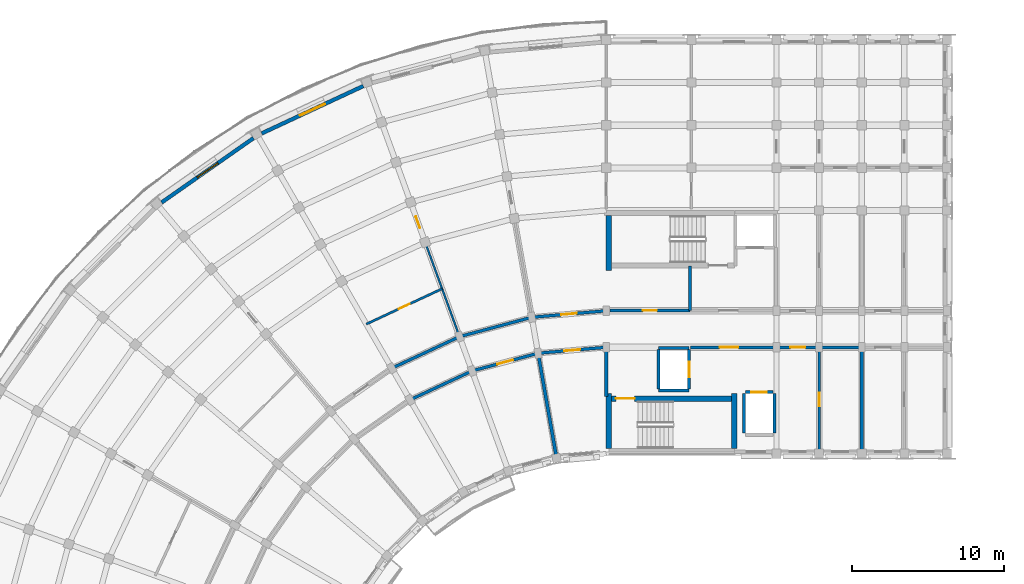
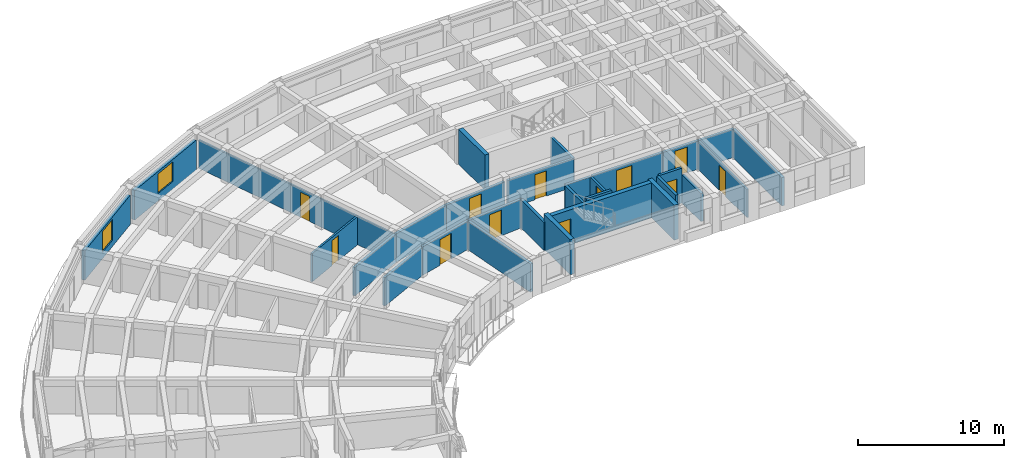
# One storey, part 18 of 41: 30 walls, 12 doors, 2 windows, 14 openings.
"""IFC4 building model written with IfcOpenShell, lengths in metres."""

import ifcopenshell
import ifcopenshell.guid

model = None  # the IFC model being written
_history = None  # IfcOwnerHistory: only IFC2X3 demands one
_inside = {}  # id of a spatial element -> (the spatial element, [elements in it])
_under = {}  # id of a project, library or spatial element -> (it, [spatial elements below it])
_declared = {}  # id of a project -> (the project, [libraries it declares])
_typed = {}  # id of a type object -> (the type object, [elements of that type])
_made_of = {}  # id of a material, layer set ... -> (it, [elements and type objects made of it])


def new_model(schema):
    """Start an empty IFC model of exactly this schema.

    Asked for "IFC4X3", IfcOpenShell would pick the latest addendum, in which some entities
    have other attributes; the version numbers below select the first issue.
    IFC2X3 requires an IfcOwnerHistory on every rooted entity: one is made here for all.
    """
    global model, _history
    if schema == "IFC4X3":
        model = ifcopenshell.file(schema_version=(4, 3, 0, 0))
    else:
        model = ifcopenshell.file(schema=schema)
    _inside.clear()
    _under.clear()
    _declared.clear()
    _typed.clear()
    _made_of.clear()
    _history = None
    if model.schema == "IFC2X3":
        org = make("IfcOrganization", Name="unknown")
        user = make(
            "IfcPersonAndOrganization",
            ThePerson=make("IfcPerson", FamilyName="unknown"),
            TheOrganization=org,
        )
        app = make(
            "IfcApplication",
            ApplicationDeveloper=org,
            Version="unknown",
            ApplicationFullName="unknown",
            ApplicationIdentifier="unknown",
        )
        _history = make(
            "IfcOwnerHistory",
            OwningUser=user,
            OwningApplication=app,
            ChangeAction="ADDED",
            CreationDate=0,
        )
    return model


def make(cls, **values):
    """One entity of the class cls with the attributes given. An attribute that is None is left unset."""
    return model.create_entity(
        cls, **{name: value for name, value in values.items() if value is not None}
    )


def rooted(cls, **values):
    """An entity with a GlobalId (a new one), such as an element, a storey or a relation."""
    return make(cls, GlobalId=ifcopenshell.guid.new(), OwnerHistory=_history, **values)


def si_unit(unit_type, name, prefix=None):
    """IfcSIUnit, for example si_unit("LENGTHUNIT", "METRE", prefix="MILLI")."""
    return make("IfcSIUnit", UnitType=unit_type, Prefix=prefix, Name=name)


def assignment(units):
    """IfcUnitAssignment: the units of a project."""
    return None if units is None else make("IfcUnitAssignment", Units=units)


def point(xyz):
    """IfcCartesianPoint."""
    return None if xyz is None else make("IfcCartesianPoint", Coordinates=xyz)


def direction(xyz):
    """IfcDirection."""
    return None if xyz is None else make("IfcDirection", DirectionRatios=xyz)


def frame(location, z_axis=None, x_axis=None):
    """IfcAxis2Placement3D, a coordinate frame: its origin and axes. An axis left out is left unset."""
    return make(
        "IfcAxis2Placement3D",
        Location=point(location),
        Axis=direction(z_axis),
        RefDirection=direction(x_axis),
    )


def frame_2d(location, x_axis=None):
    """IfcAxis2Placement2D, a coordinate frame in the plane: its origin and x axis."""
    return make(
        "IfcAxis2Placement2D", Location=point(location), RefDirection=direction(x_axis)
    )


def origin():
    """The frame at (0, 0, 0) with its axes left unset."""
    return frame((0.0, 0.0, 0.0))


def place(relative_to, where):
    """IfcLocalPlacement: puts the frame where relative to a parent placement (None: the world)."""
    return make(
        "IfcLocalPlacement", PlacementRelTo=relative_to, RelativePlacement=where
    )


def context(
    kind, dimensions, precision=None, world=None, true_north=None, identifier=None
):
    """IfcGeometricRepresentationContext, for example the 3D "Model" context."""
    return make(
        "IfcGeometricRepresentationContext",
        ContextIdentifier=identifier,
        ContextType=kind,
        CoordinateSpaceDimension=dimensions,
        Precision=precision,
        WorldCoordinateSystem=world,
        TrueNorth=true_north,
    )


def subcontext(parent, identifier, kind, view, scale=None):
    """IfcGeometricRepresentationSubContext, for example "Body" below "Model"."""
    return make(
        "IfcGeometricRepresentationSubContext",
        ContextIdentifier=identifier,
        ContextType=kind,
        ParentContext=parent,
        TargetScale=scale,
        TargetView=view,
    )


def project(units=None, contexts=None):
    """IfcProject with its units and contexts."""
    return rooted(
        "IfcProject",
        Name="project",
        RepresentationContexts=contexts,
        UnitsInContext=assignment(units),
    )


def spatial(cls, under=None, at=None, **own):
    """A site, building, storey or space (cls), placed at a placement, below another one or the project."""
    s = rooted(cls, ObjectPlacement=at, **own)
    if under is not None:
        _under.setdefault(under.id(), (under, []))[1].append(s)
    return s


def profile(cls, at=None, kind="AREA", **sizes):
    """A parametric profile (cls). Its sizes go by their IFC names, for example OverallWidth=200.0."""
    return make(cls, ProfileType=kind, Position=at, **sizes)


def rectangle(**sizes):
    """IfcRectangleProfileDef."""
    return profile("IfcRectangleProfileDef", **sizes)


def extrude(swept, where, along, depth):
    """IfcExtrudedAreaSolid: the profile swept, set in the frame where, extruded along a direction by depth."""
    return make(
        "IfcExtrudedAreaSolid",
        SweptArea=swept,
        Position=where,
        ExtrudedDirection=direction(along),
        Depth=depth,
    )


def shape(context_of_items, identifier, shape_type, items):
    """IfcShapeRepresentation: the items that make up one representation, for example the "Body"."""
    return make(
        "IfcShapeRepresentation",
        ContextOfItems=context_of_items,
        RepresentationIdentifier=identifier,
        RepresentationType=shape_type,
        Items=items,
    )


def material(Name=None, Category=None):
    """IfcMaterial."""
    return make("IfcMaterial", Name=Name, Category=Category)


def layer(
    of_material, thickness, ventilated=None, Name=None, Category=None, Priority=None
):
    """IfcMaterialLayer: one layer of a wall or slab, of a material (None: an air gap)."""
    return make(
        "IfcMaterialLayer",
        Material=of_material,
        LayerThickness=thickness,
        IsVentilated=ventilated,
        Name=Name,
        Category=Category,
        Priority=Priority,
    )


def layer_set(layers, Name=None):
    """IfcMaterialLayerSet."""
    return make("IfcMaterialLayerSet", MaterialLayers=layers, LayerSetName=Name)


def made_of(thing, what):
    """Note that an element or type object is made of a material, layer set ...; save() writes the relation."""
    if what is not None:
        _made_of.setdefault(what.id(), (what, []))[1].append(thing)
    return thing


def type_object(cls, material=None, **own):
    """A type object (cls), such as IfcWallType, which elements share."""
    return made_of(rooted(cls, **own), material)


def element(
    cls,
    number,
    at=None,
    inside=None,
    cuts=None,
    type_object=None,
    material=None,
    context=None,
    identifier="Body",
    shape_type=None,
    held_by="IfcProductDefinitionShape",
    body=None,
    shapes=None,
    **own,
):
    """One element of the class cls, such as IfcWall. Its Tag is "e" and its number.

    at: its placement. inside: the storey or other place that contains it. cuts: it is an
    opening in that element (IfcRelVoidsElement). A single representation is given by context,
    identifier, shape_type and body (its items); several are given by shapes. held_by: the class
    of the entity that holds the representations. save() writes the other relations.
    """
    e = rooted(cls, Tag="e%d" % number, ObjectPlacement=at, **own)
    if body is not None:
        shapes = [shape(context, identifier, shape_type, body)]
    if shapes is not None:
        e.Representation = make(held_by, Representations=shapes)
    if inside is not None:
        _inside.setdefault(inside.id(), (inside, []))[1].append(e)
    if cuts is not None:
        rooted(
            "IfcRelVoidsElement", RelatingBuildingElement=cuts, RelatedOpeningElement=e
        )
    if type_object is not None:
        _typed.setdefault(type_object.id(), (type_object, []))[1].append(e)
    return made_of(e, material)


def fill(opening, filler):
    """IfcRelFillsElement: the door or window that sits in an opening."""
    return rooted(
        "IfcRelFillsElement",
        RelatingOpeningElement=opening,
        RelatedBuildingElement=filler,
    )


def aggregate(whole, parts):
    """IfcRelAggregates: a whole, such as a stair, and the parts it consists of."""
    return rooted("IfcRelAggregates", RelatingObject=whole, RelatedObjects=parts)


def save(model, path):
    """Write the relations noted so far, then the file.

    IfcRelAggregates (storeys below a building ...), IfcRelContainedInSpatialStructure (elements
    in a storey), IfcRelDefinesByType, IfcRelAssociatesMaterial and IfcRelDeclares: one each for
    every whole, place, type object, material and project.
    """
    for whole, parts in _under.values():
        aggregate(whole, parts)
    for where, things in _inside.values():
        rooted(
            "IfcRelContainedInSpatialStructure",
            RelatedElements=things,
            RelatingStructure=where,
        )
    for kind, things in _typed.values():
        rooted("IfcRelDefinesByType", RelatedObjects=things, RelatingType=kind)
    for what, things in _made_of.values():
        rooted("IfcRelAssociatesMaterial", RelatedObjects=things, RelatingMaterial=what)
    for by, libraries in _declared.values():
        rooted("IfcRelDeclares", RelatingContext=by, RelatedDefinitions=libraries)
    model.write(path)


model = new_model("IFC4")

# Units and contexts
model_context = context("Model", 3, precision=1e-05, world=origin(), true_north=direction((0.0, 1.0)))
body_context = subcontext(model_context, "Body", "Model", "MODEL_VIEW")
ifc_project = project(units=[si_unit("LENGTHUNIT", "METRE"), si_unit("AREAUNIT", "SQUARE_METRE"), si_unit("VOLUMEUNIT", "CUBIC_METRE"), si_unit("PLANEANGLEUNIT", "RADIAN"), si_unit("MASSUNIT", "GRAM", prefix="KILO")], contexts=[model_context])

# Site, building, storey
site_placement = place(None, origin())
site = spatial("IfcSite", under=ifc_project, at=site_placement, CompositionType="ELEMENT")
building_placement = place(site_placement, origin())
building = spatial("IfcBuilding", under=site, at=building_placement, Name="Kiranvali Square Residences", CompositionType="ELEMENT")
storey_placement = place(building_placement, frame((0.0, 0.0, 33.89990234375)))
storey = spatial("IfcBuildingStorey", under=building, at=storey_placement, Name="L10", CompositionType="ELEMENT", Elevation=33.89990234375)

# Wall, opening, door
ifc_material_1 = material(Name="Autoclaved aerated concrete blockwork masonry", Category="masonry")
ifc_layer_1 = layer(ifc_material_1, 0.199951171875)
ifc_layer_set_1 = layer_set([ifc_layer_1], Name="Autoclaved aerated concrete blockwork masonry")
wall_type_1 = type_object("IfcWallType", Name="WL-COR-200", PredefinedType="STANDARD", material=ifc_layer_set_1)
wall_1_placement = place(storey_placement, frame((53.75, 113.60009765625, 0.0), z_axis=(0.0, 0.0, 1.0), x_axis=(1.0, 0.0, 0.0)))
wall_1 = element("IfcWall", 1, at=wall_1_placement, inside=storey, type_object=wall_type_1, Name="L10 architectural wall WL-L10-A-LL-COR", PredefinedType="STANDARD", context=body_context, shape_type="SweptSolid", body=[
    extrude(rectangle(XDim=5.60009765625, YDim=0.199951171875, at=frame_2d((2.800048828125, 0.0))), origin(), (0.0, 0.0, 1.0), 2.3720703125),
])
opening_1_placement = place(wall_1_placement, frame((1.909912109375, 0.0, 0.0)))
opening_1 = element("IfcOpeningElement", 2, at=opening_1_placement, cuts=wall_1, Name="Opening FD-COR-60", PredefinedType="OPENING", context=body_context, shape_type="SweptSolid", body=[
    extrude(rectangle(XDim=1.219970703125, YDim=2.14990234375, at=frame_2d((0.60986328125, 1.074951171875))), frame((0.0, 0.10986328125, 0.0), z_axis=(0.0, -1.0, 0.0), x_axis=(1.0, 0.0, 0.0)), (0.0, 0.0, 1.0), 0.219970703125),
])
ifc_material_2 = material(Name="Fire-rated acoustic hardwood and mineral-core door assembly", Category="wood")
door_type_1 = type_object("IfcDoorType", Name="DR-FD60-1200", OperationType="NOTDEFINED", PredefinedType="DOOR", material=ifc_material_2)
door_1_placement = place(opening_1_placement, frame((1.219970703125, 0.0, 0.0), z_axis=(0.0, 0.0, 1.0), x_axis=(-1.0, 0.0, 0.0)))
door_1 = element("IfcDoor", 3, at=door_1_placement, inside=storey, type_object=door_type_1, Name="L10 door DR-L10-0634 (DR-FD60-1200)", OperationType="SINGLE_SWING_RIGHT", OverallHeight=2.14990234375, OverallWidth=1.219970703125, PredefinedType="DOOR", context=body_context, shape_type="SweptSolid", body=[
    extrude(rectangle(XDim=1.219970703125, YDim=2.14990234375, at=frame_2d((0.60986328125, 1.074951171875))), frame((0.0, 0.02490234375, 0.0), z_axis=(0.0, -1.0, 0.0), x_axis=(1.0, 0.0, 0.0)), (0.0, 0.0, 1.0), 0.050048828125),
])
fill(opening_1, door_1)

wall_2_placement = place(storey_placement, frame((59.39990234375, 113.60009765625, 0.0), z_axis=(0.0, 0.0, 1.0), x_axis=(1.0, 0.0, 0.0)))
wall_2 = element("IfcWall", 4, at=wall_2_placement, inside=storey, type_object=wall_type_1, Name="L10 architectural wall WL-L10-A-A1CI-0", PredefinedType="STANDARD", context=body_context, shape_type="SweptSolid", body=[
    extrude(rectangle(XDim=2.800048828125, YDim=0.199951171875, at=frame_2d((1.39990234375, 0.0))), origin(), (0.0, 0.0, 1.0), 2.3720703125),
])
opening_2_placement = place(wall_2_placement, frame((0.89990234375, 0.0, 0.0)))
opening_2 = element("IfcOpeningElement", 5, at=opening_2_placement, cuts=wall_2, Name="Opening FD-APT-60", PredefinedType="OPENING", context=body_context, shape_type="SweptSolid", body=[
    extrude(rectangle(XDim=1.0, YDim=2.14990234375, at=frame_2d((0.5, 1.074951171875))), frame((0.0, 0.10986328125, 0.0), z_axis=(0.0, -1.0, 0.0), x_axis=(1.0, 0.0, 0.0)), (0.0, 0.0, 1.0), 0.219970703125),
])
door_type_2 = type_object("IfcDoorType", Name="DR-APT-1000", OperationType="NOTDEFINED", PredefinedType="DOOR", material=ifc_material_2)
door_2_placement = place(opening_2_placement, frame((1.0, 0.0, 0.0), z_axis=(0.0, 0.0, 1.0), x_axis=(-1.0, 0.0, 0.0)))
door_2 = element("IfcDoor", 6, at=door_2_placement, inside=storey, type_object=door_type_2, Name="L10 door DR-L10-0638 (DR-APT-1000)", OperationType="SINGLE_SWING_RIGHT", OverallHeight=2.14990234375, OverallWidth=1.0, PredefinedType="DOOR", context=body_context, shape_type="SweptSolid", body=[
    extrude(rectangle(XDim=1.0, YDim=2.14990234375, at=frame_2d((0.5, 1.074951171875))), frame((0.0, 0.02490234375, 0.0), z_axis=(0.0, -1.0, 0.0), x_axis=(1.0, 0.0, 0.0)), (0.0, 0.0, 1.0), 0.050048828125),
])
fill(opening_2, door_2)

# Wall
wall_3_placement = place(storey_placement, frame((62.199951171875, 113.60009765625, 0.0), z_axis=(0.0, 0.0, 1.0), x_axis=(1.0, 0.0, 0.0)))
element("IfcWall", 7, at=wall_3_placement, inside=storey, type_object=wall_type_1, Name="L10 architectural wall WL-L10-A-A1CI-1", PredefinedType="STANDARD", context=body_context, shape_type="SweptSolid", body=[
    extrude(rectangle(XDim=2.800048828125, YDim=0.199951171875, at=frame_2d((1.39990234375, 0.0))), origin(), (0.0, 0.0, 1.0), 2.3720703125),
])

# Wall, opening, door
wall_4_placement = place(storey_placement, frame((48.199951171875, 113.60009765625, 0.0), z_axis=(0.0, 0.0, 1.0), x_axis=(-0.996191949488, -0.087187153726, 0.0)))
wall_4 = element("IfcWall", 8, at=wall_4_placement, inside=storey, type_object=wall_type_1, Name="L10 architectural wall WL-L10-A-CCI-0", PredefinedType="STANDARD", context=body_context, shape_type="SweptSolid", body=[
    extrude(rectangle(XDim=4.4970703125, YDim=0.199951171875, at=frame_2d((2.24853515625, 0.0))), origin(), (0.0, 0.0, 1.0), 2.3720703125),
])
opening_3_placement = place(wall_4_placement, frame((1.728515625, 0.0, 0.0)))
opening_3 = element("IfcOpeningElement", 9, at=opening_3_placement, cuts=wall_4, Name="Opening FD-APT-60B", PredefinedType="OPENING", context=body_context, shape_type="SweptSolid", body=[
    extrude(rectangle(XDim=1.0400390625, YDim=2.14990234375, at=frame_2d((0.52001953125, 1.074951171875))), frame((0.0, 0.10986328125, 0.0), z_axis=(0.0, -1.0, 0.0), x_axis=(1.0, 0.0, 0.0)), (0.0, 0.0, 1.0), 0.219970703125),
])
door_type_3 = type_object("IfcDoorType", Name="DR-APT-1040", OperationType="NOTDEFINED", PredefinedType="DOOR", material=ifc_material_2)
door_3_placement = place(opening_3_placement, origin())
door_3 = element("IfcDoor", 10, at=door_3_placement, inside=storey, type_object=door_type_3, Name="L10 door DR-L10-0667 (DR-APT-1040)", OperationType="SINGLE_SWING_LEFT", OverallHeight=2.14990234375, OverallWidth=1.0400390625, PredefinedType="DOOR", context=body_context, shape_type="SweptSolid", body=[
    extrude(rectangle(XDim=1.0400390625, YDim=2.14990234375, at=frame_2d((0.52001953125, 1.074951171875))), frame((0.0, 0.02490234375, 0.0), z_axis=(0.0, -1.0, 0.0), x_axis=(1.0, 0.0, 0.0)), (0.0, 0.0, 1.0), 0.050048828125),
])
fill(opening_3, door_3)

wall_5_placement = place(storey_placement, frame((48.199951171875, 116.0, 0.0), z_axis=(0.0, 0.0, 1.0), x_axis=(-0.996193663584, -0.087167566415, 0.0)))
wall_5 = element("IfcWall", 11, at=wall_5_placement, inside=storey, type_object=wall_type_1, Name="L10 architectural wall WL-L10-A-CCO-0", PredefinedType="STANDARD", context=body_context, shape_type="SweptSolid", body=[
    extrude(rectangle(XDim=4.91552734375, YDim=0.199951171875, at=frame_2d((2.457763671875, 0.0))), origin(), (0.0, 0.0, 1.0), 2.3720703125),
])
opening_4_placement = place(wall_5_placement, frame((1.957763671875, 0.0, 0.0)))
opening_4 = element("IfcOpeningElement", 12, at=opening_4_placement, cuts=wall_5, Name="Opening FD-APT-60", PredefinedType="OPENING", context=body_context, shape_type="SweptSolid", body=[
    extrude(rectangle(XDim=1.0, YDim=2.14990234375, at=frame_2d((0.5, 1.074951171875))), frame((0.0, 0.10986328125, 0.0), z_axis=(0.0, -1.0, 0.0), x_axis=(1.0, 0.0, 0.0)), (0.0, 0.0, 1.0), 0.219970703125),
])
door_4_placement = place(opening_4_placement, origin())
door_4 = element("IfcDoor", 13, at=door_4_placement, inside=storey, type_object=door_type_2, Name="L10 door DR-L10-0659 (DR-APT-1000)", OperationType="SINGLE_SWING_LEFT", OverallHeight=2.14990234375, OverallWidth=1.0, PredefinedType="DOOR", context=body_context, shape_type="SweptSolid", body=[
    extrude(rectangle(XDim=1.0, YDim=2.14990234375, at=frame_2d((0.5, 1.074951171875))), frame((0.0, 0.02490234375, 0.0), z_axis=(0.0, -1.0, 0.0), x_axis=(1.0, 0.0, 0.0)), (0.0, 0.0, 1.0), 0.050048828125),
])
fill(opening_4, door_4)

wall_6_placement = place(storey_placement, frame((43.719970703125, 113.2080078125, 0.0), z_axis=(0.0, 0.0, 1.0), x_axis=(-0.965934240054, -0.258787642463, 0.0)))
wall_6 = element("IfcWall", 14, at=wall_6_placement, inside=storey, type_object=wall_type_1, Name="L10 architectural wall WL-L10-A-CCI-1", PredefinedType="STANDARD", context=body_context, shape_type="SweptSolid", body=[
    extrude(rectangle(XDim=4.497314453125, YDim=0.199951171875, at=frame_2d((2.24853515625, 0.0))), origin(), (0.0, 0.0, 1.0), 2.3720703125),
])
opening_5_placement = place(wall_6_placement, frame((1.708740234375, 0.0, 0.0)))
opening_5 = element("IfcOpeningElement", 15, at=opening_5_placement, cuts=wall_6, Name="Opening FD-APT-60C", PredefinedType="OPENING", context=body_context, shape_type="SweptSolid", body=[
    extrude(rectangle(XDim=1.080078125, YDim=2.14990234375, at=frame_2d((0.5400390625, 1.074951171875))), frame((0.0, 0.10986328125, 0.0), z_axis=(0.0, -1.0, 0.0), x_axis=(1.0, 0.0, 0.0)), (0.0, 0.0, 1.0), 0.219970703125),
])
door_type_4 = type_object("IfcDoorType", Name="DR-APT-1080", OperationType="NOTDEFINED", PredefinedType="DOOR", material=ifc_material_2)
door_5_placement = place(opening_5_placement, frame((1.080078125, 0.0, 0.0), z_axis=(0.0, 0.0, 1.0), x_axis=(-1.0, 0.0, 0.0)))
door_5 = element("IfcDoor", 16, at=door_5_placement, inside=storey, type_object=door_type_4, Name="L10 door DR-L10-0668 (DR-APT-1080)", OperationType="SINGLE_SWING_RIGHT", OverallHeight=2.14990234375, OverallWidth=1.080078125, PredefinedType="DOOR", context=body_context, shape_type="SweptSolid", body=[
    extrude(rectangle(XDim=1.080078125, YDim=2.14990234375, at=frame_2d((0.5400390625, 1.074951171875))), frame((0.0, 0.02490234375, 0.0), z_axis=(0.0, -1.0, 0.0), x_axis=(1.0, 0.0, 0.0)), (0.0, 0.0, 1.0), 0.050048828125),
])
fill(opening_5, door_5)

# Walls
wall_7_placement = place(storey_placement, frame((43.30322265625, 115.571533203125, 0.0), z_axis=(0.0, 0.0, 1.0), x_axis=(-0.965930095386, -0.258803112091, 0.0)))
element("IfcWall", 17, at=wall_7_placement, inside=storey, type_object=wall_type_1, Name="L10 architectural wall WL-L10-A-CCO-1", PredefinedType="STANDARD", context=body_context, shape_type="SweptSolid", body=[
    extrude(rectangle(XDim=4.915771484375, YDim=0.199951171875, at=frame_2d((2.4580078125, 0.0))), origin(), (0.0, 0.0, 1.0), 2.3720703125),
])
wall_8_placement = place(storey_placement, frame((39.3759765625, 112.044189453125, 0.0), z_axis=(0.0, 0.0, 1.0), x_axis=(-0.906307919131, -0.422617978463, 0.0)))
element("IfcWall", 18, at=wall_8_placement, inside=storey, type_object=wall_type_1, Name="L10 architectural wall WL-L10-A-CCI-2", PredefinedType="STANDARD", context=body_context, shape_type="SweptSolid", body=[
    extrude(rectangle(XDim=4.497314453125, YDim=0.199951171875, at=frame_2d((2.24853515625, 0.0))), origin(), (0.0, 0.0, 1.0), 2.3720703125),
])
wall_9_placement = place(storey_placement, frame((38.554931640625, 114.29931640625, 0.0), z_axis=(0.0, 0.0, 1.0), x_axis=(-0.906302381024, -0.422629854778, 0.0)))
element("IfcWall", 19, at=wall_9_placement, inside=storey, type_object=wall_type_1, Name="L10 architectural wall WL-L10-A-CCO-2", PredefinedType="STANDARD", context=body_context, shape_type="SweptSolid", body=[
    extrude(rectangle(XDim=4.915283203125, YDim=0.199951171875, at=frame_2d((2.45751953125, 0.0))), origin(), (0.0, 0.0, 1.0), 2.3720703125),
])
ifc_layer_2 = layer(ifc_material_1, 0.219970703125)
ifc_layer_set_2 = layer_set([ifc_layer_2], Name="Autoclaved aerated concrete blockwork masonry")
wall_type_2 = type_object("IfcWallType", Name="WL-DEM-220", PredefinedType="STANDARD", material=ifc_layer_set_2)
wall_10_placement = place(storey_placement, frame((65.0, 106.800048828125, 0.0), z_axis=(0.0, 0.0, 1.0), x_axis=(0.0, 1.0, 0.0)))
element("IfcWall", 20, at=wall_10_placement, inside=storey, type_object=wall_type_2, Name="L10 architectural wall WL-L10-A-A1TI-2", PredefinedType="STANDARD", context=body_context, shape_type="SweptSolid", body=[
    extrude(rectangle(XDim=6.75, YDim=0.219970703125, at=frame_2d((3.375, 0.0))), origin(), (0.0, 0.0, 1.0), 2.3720703125),
])
wall_11_placement = place(storey_placement, frame((48.199951171875, 110.35009765625, 0.0), z_axis=(0.0, 0.0, 1.0), x_axis=(0.0, 1.0, 0.0)))
element("IfcWall", 21, at=wall_11_placement, inside=storey, type_object=wall_type_2, Name="L10 architectural wall WL-L10-A-RADI-0", PredefinedType="STANDARD", context=body_context, shape_type="SweptSolid", body=[
    extrude(rectangle(XDim=3.199951171875, YDim=0.219970703125, at=frame_2d((1.60009765625, 0.0))), origin(), (0.0, 0.0, 1.0), 2.3720703125),
])
wall_12_placement = place(storey_placement, frame((44.900634765625, 106.51123046875, 0.0), z_axis=(0.0, 0.0, 1.0), x_axis=(-0.173647089161, 0.984807944945, 0.0)))
element("IfcWall", 22, at=wall_12_placement, inside=storey, type_object=wall_type_2, Name="L10 architectural wall WL-L10-A-RADI-1", PredefinedType="STANDARD", context=body_context, shape_type="SweptSolid", body=[
    extrude(rectangle(XDim=6.75, YDim=0.219970703125, at=frame_2d((3.375, 0.0))), origin(), (0.0, 0.0, 1.0), 2.3720703125),
])

# Wall, opening, window
ifc_material_3 = material(Name="Breathable lime-rendered clay brick masonry", Category="masonry")
ifc_layer_3 = layer(ifc_material_3, 0.25)
ifc_layer_set_3 = layer_set([ifc_layer_3], Name="Breathable lime-rendered clay brick masonry")
wall_type_3 = type_object("IfcWallType", Name="WL-EXT-250", PredefinedType="STANDARD", material=ifc_layer_set_3)
wall_13_placement = place(storey_placement, frame((32.224853515625, 130.77490234375, 0.0), z_axis=(0.0, 0.0, 1.0), x_axis=(-0.906321090675, -0.422589730823, 0.0)))
wall_13 = element("IfcWall", 23, at=wall_13_placement, inside=storey, type_object=wall_type_3, Name="L10 exterior wall A-L10-CRV-02", PredefinedType="STANDARD", context=body_context, shape_type="SweptSolid", body=[
    extrude(rectangle(XDim=7.3671875, YDim=0.25, at=frame_2d((3.68359375, 0.0))), origin(), (0.0, 0.0, 1.0), 2.47216796875),
])
opening_6_placement = place(wall_13_placement, frame((2.783447265625, 0.0, 0.6220703125)))
opening_6 = element("IfcOpeningElement", 24, at=opening_6_placement, cuts=wall_13, Name="Opening W-04", PredefinedType="OPENING", context=body_context, shape_type="SweptSolid", body=[
    extrude(rectangle(XDim=1.800048828125, YDim=1.64990234375, at=frame_2d((0.89990234375, 0.824951171875))), frame((0.0, 0.135009765625, 0.0), z_axis=(0.0, -1.0, 0.0), x_axis=(1.0, 0.0, 0.0)), (0.0, 0.0, 1.0), 0.27001953125),
])
ifc_material_4 = material(Name="Solar-control low-e double glazing", Category="glass")
window_type_1 = type_object("IfcWindowType", Name="WIN-RES-1800x1650", PartitioningType="DOUBLE_PANEL_VERTICAL", PredefinedType="WINDOW", material=ifc_material_4)
window_1_placement = place(opening_6_placement, origin())
window_1 = element("IfcWindow", 25, at=window_1_placement, inside=storey, type_object=window_type_1, Name="L10 recessed window A-L10-CRV-02", OverallHeight=1.64990234375, OverallWidth=1.800048828125, PartitioningType="DOUBLE_PANEL_VERTICAL", PredefinedType="WINDOW", context=body_context, shape_type="SweptSolid", body=[
    extrude(rectangle(XDim=1.800048828125, YDim=1.64990234375, at=frame_2d((0.89990234375, 0.824951171875))), frame((0.0, 0.030029296875, 0.0), z_axis=(0.0, -1.0, 0.0), x_axis=(1.0, 0.0, 0.0)), (0.0, 0.0, 1.0), 0.06005859375),
])
fill(opening_6, window_1)

wall_14_placement = place(storey_placement, frame((25.0048828125, 127.347900390625, 0.0), z_axis=(0.0, 0.0, 1.0), x_axis=(-0.819147839112, -0.573582441919, 0.0)))
wall_14 = element("IfcWall", 26, at=wall_14_placement, inside=storey, type_object=wall_type_3, Name="L10 exterior wall A-L10-CRV-03", PredefinedType="STANDARD", context=body_context, shape_type="SweptSolid", body=[
    extrude(rectangle(XDim=7.366943359375, YDim=0.25, at=frame_2d((3.68359375, 0.0))), origin(), (0.0, 0.0, 1.0), 2.47216796875),
])
opening_7_placement = place(wall_14_placement, frame((2.8583984375, 0.0, 0.52197265625)))
opening_7 = element("IfcOpeningElement", 27, at=opening_7_placement, cuts=wall_14, Name="Opening W-13", PredefinedType="OPENING", context=body_context, shape_type="SweptSolid", body=[
    extrude(rectangle(XDim=1.64990234375, YDim=1.75, at=frame_2d((0.824951171875, 0.875))), frame((0.0, 0.135009765625, 0.0), z_axis=(0.0, -1.0, 0.0), x_axis=(1.0, 0.0, 0.0)), (0.0, 0.0, 1.0), 0.27001953125),
])
window_type_2 = type_object("IfcWindowType", Name="WIN-RES-1650x1750", PartitioningType="DOUBLE_PANEL_VERTICAL", PredefinedType="WINDOW", material=ifc_material_4)
window_2_placement = place(opening_7_placement, origin())
window_2 = element("IfcWindow", 28, at=window_2_placement, inside=storey, type_object=window_type_2, Name="L10 recessed window A-L10-CRV-03", OverallHeight=1.75, OverallWidth=1.64990234375, PartitioningType="DOUBLE_PANEL_VERTICAL", PredefinedType="WINDOW", context=body_context, shape_type="SweptSolid", body=[
    extrude(rectangle(XDim=1.64990234375, YDim=1.75, at=frame_2d((0.824951171875, 0.875))), frame((0.0, 0.030029296875, 0.0), z_axis=(0.0, -1.0, 0.0), x_axis=(1.0, 0.0, 0.0)), (0.0, 0.0, 1.0), 0.06005859375),
])
fill(opening_7, window_2)

# Wall
ifc_layer_4 = layer(ifc_material_1, 0.199951171875)
ifc_layer_set_4 = layer_set([ifc_layer_4], Name="Autoclaved aerated concrete blockwork masonry")
wall_type_4 = type_object("IfcWallType", Name="WL-FFL-200", PredefinedType="STANDARD", material=ifc_layer_set_4)
wall_15_placement = place(storey_placement, frame((53.699951171875, 116.02001953125, 0.0), z_axis=(0.0, 0.0, 1.0), x_axis=(0.0, 1.0, 0.0)))
element("IfcWall", 29, at=wall_15_placement, inside=storey, type_object=wall_type_4, Name="L10 architectural wall WL-L10-A-FF-DIV", PredefinedType="STANDARD", context=body_context, shape_type="SweptSolid", body=[
    extrude(rectangle(XDim=2.929931640625, YDim=0.199951171875, at=frame_2d((1.46484375, 0.0))), origin(), (0.0, 0.0, 1.0), 2.3720703125),
])

# Wall, opening, door
ifc_material_5 = material(Name="Acoustic gypsum board drylined partition", Category="gypsum")
ifc_layer_5 = layer(ifc_material_5, 0.125)
ifc_layer_set_5 = layer_set([ifc_layer_5], Name="Acoustic gypsum board drylined partition")
wall_type_5 = type_object("IfcWallType", Name="WL-PRT-125", PredefinedType="PARTITIONING", material=ifc_layer_set_5)
wall_16_placement = place(storey_placement, frame((38.520751953125, 114.393310546875, 0.0), z_axis=(0.0, 0.0, 1.0), x_axis=(-0.342022120477, 0.939691901159, 0.0)))
wall_16 = element("IfcWall", 30, at=wall_16_placement, inside=storey, type_object=wall_type_5, Name="L10 architectural wall WL-L10-A-RADO-2", PredefinedType="PARTITIONING", context=body_context, shape_type="SweptSolid", body=[
    extrude(rectangle(XDim=17.419921875, YDim=0.125, at=frame_2d((8.7099609375, 0.0))), origin(), (0.0, 0.0, 1.0), 2.3720703125),
])
opening_8_placement = place(wall_16_placement, frame((7.5, 0.0, 0.0)))
opening_8 = element("IfcOpeningElement", 31, at=opening_8_placement, cuts=wall_16, Name="Opening ID-WET", PredefinedType="OPENING", context=body_context, shape_type="SweptSolid", body=[
    extrude(rectangle(XDim=0.800048828125, YDim=2.10009765625, at=frame_2d((0.39990234375, 1.050048828125))), frame((0.0, 0.072509765625, 0.0), z_axis=(0.0, -1.0, 0.0), x_axis=(1.0, 0.0, 0.0)), (0.0, 0.0, 1.0), 0.14501953125),
])
ifc_material_6 = material(Name="Solid seasoned teak hardwood joinery", Category="wood")
door_type_5 = type_object("IfcDoorType", Name="DR-WET-800", OperationType="NOTDEFINED", PredefinedType="DOOR", material=ifc_material_6)
door_6_placement = place(opening_8_placement, origin())
door_6 = element("IfcDoor", 32, at=door_6_placement, inside=storey, type_object=door_type_5, Name="L10 door DR-L10-0655 (DR-WET-800)", OperationType="SINGLE_SWING_LEFT", OverallHeight=2.10009765625, OverallWidth=0.800048828125, PredefinedType="DOOR", context=body_context, shape_type="SweptSolid", body=[
    extrude(rectangle(XDim=0.800048828125, YDim=2.10009765625, at=frame_2d((0.39990234375, 1.050048828125))), frame((0.0, 0.02490234375, 0.0), z_axis=(0.0, -1.0, 0.0), x_axis=(1.0, 0.0, 0.0)), (0.0, 0.0, 1.0), 0.050048828125),
])
fill(opening_8, door_6)

ifc_layer_6 = layer(ifc_material_5, 0.14990234375)
ifc_layer_set_6 = layer_set([ifc_layer_6], Name="Acoustic gypsum board drylined partition")
wall_type_6 = type_object("IfcWallType", Name="WL-PRT-150", PredefinedType="PARTITIONING", material=ifc_layer_set_6)
wall_17_placement = place(storey_placement, frame((62.199951171875, 106.800048828125, 0.0), z_axis=(0.0, 0.0, 1.0), x_axis=(0.0, 1.0, 0.0)))
wall_17 = element("IfcWall", 33, at=wall_17_placement, inside=storey, type_object=wall_type_6, Name="L10 architectural wall WL-L10-A-A1TI-1", PredefinedType="PARTITIONING", context=body_context, shape_type="SweptSolid", body=[
    extrude(rectangle(XDim=6.75, YDim=0.14990234375, at=frame_2d((3.375, 0.0))), origin(), (0.0, 0.0, 1.0), 2.3720703125),
])
opening_9_placement = place(wall_17_placement, frame((2.925048828125, 0.0, 0.0)))
opening_9 = element("IfcOpeningElement", 34, at=opening_9_placement, cuts=wall_17, Name="Opening ID-1", PredefinedType="OPENING", context=body_context, shape_type="SweptSolid", body=[
    extrude(rectangle(XDim=0.89990234375, YDim=2.10009765625, at=frame_2d((0.449951171875, 1.050048828125))), frame((0.0, 0.0849609375, 0.0), z_axis=(0.0, -1.0, 0.0), x_axis=(1.0, 0.0, 0.0)), (0.0, 0.0, 1.0), 0.169921875),
])
door_type_6 = type_object("IfcDoorType", Name="DR-INT-900", OperationType="NOTDEFINED", PredefinedType="DOOR", material=ifc_material_6)
door_7_placement = place(opening_9_placement, origin())
door_7 = element("IfcDoor", 35, at=door_7_placement, inside=storey, type_object=door_type_6, Name="L10 door DR-L10-0647 (DR-INT-900)", OperationType="SINGLE_SWING_LEFT", OverallHeight=2.10009765625, OverallWidth=0.89990234375, PredefinedType="DOOR", context=body_context, shape_type="SweptSolid", body=[
    extrude(rectangle(XDim=0.89990234375, YDim=2.10009765625, at=frame_2d((0.449951171875, 1.050048828125))), frame((0.0, 0.02490234375, 0.0), z_axis=(0.0, -1.0, 0.0), x_axis=(1.0, 0.0, 0.0)), (0.0, 0.0, 1.0), 0.050048828125),
])
fill(opening_9, door_7)

ifc_layer_7 = layer(ifc_material_1, 0.199951171875)
ifc_layer_set_7 = layer_set([ifc_layer_7], Name="Autoclaved aerated concrete blockwork masonry")
wall_type_7 = type_object("IfcWallType", Name="WL-SHF-200", PredefinedType="STANDARD", material=ifc_layer_set_7)
wall_18_placement = place(storey_placement, frame((48.449951171875, 116.02001953125, 0.0), z_axis=(0.0, 0.0, 1.0), x_axis=(1.0, 0.0, 0.0)))
wall_18 = element("IfcWall", 36, at=wall_18_placement, inside=storey, type_object=wall_type_7, Name="L10 architectural wall WL-L10-A-RSR-COR", PredefinedType="STANDARD", context=body_context, shape_type="SweptSolid", body=[
    extrude(rectangle(XDim=5.25, YDim=0.199951171875, at=frame_2d((2.625, 0.0))), origin(), (0.0, 0.0, 1.0), 2.3720703125),
])
opening_10_placement = place(wall_18_placement, frame((2.1650390625, 0.0, 0.0)))
opening_10 = element("IfcOpeningElement", 37, at=opening_10_placement, cuts=wall_18, Name="Opening FD-SVC-120", PredefinedType="OPENING", context=body_context, shape_type="SweptSolid", body=[
    extrude(rectangle(XDim=0.919921875, YDim=2.10009765625, at=frame_2d((0.4599609375, 1.050048828125))), frame((0.0, 0.10986328125, 0.0), z_axis=(0.0, -1.0, 0.0), x_axis=(1.0, 0.0, 0.0)), (0.0, 0.0, 1.0), 0.219970703125),
])
door_type_7 = type_object("IfcDoorType", Name="DR-SVC-900", OperationType="NOTDEFINED", PredefinedType="DOOR", material=ifc_material_2)
door_8_placement = place(opening_10_placement, origin())
door_8 = element("IfcDoor", 38, at=door_8_placement, inside=storey, type_object=door_type_7, Name="L10 door DR-L10-0627 (DR-SVC-900)", OperationType="SINGLE_SWING_LEFT", OverallHeight=2.10009765625, OverallWidth=0.919921875, PredefinedType="DOOR", context=body_context, shape_type="SweptSolid", body=[
    extrude(rectangle(XDim=0.919921875, YDim=2.10009765625, at=frame_2d((0.4599609375, 1.050048828125))), frame((0.0, 0.02490234375, 0.0), z_axis=(0.0, -1.0, 0.0), x_axis=(1.0, 0.0, 0.0)), (0.0, 0.0, 1.0), 0.050048828125),
])
fill(opening_10, door_8)

# Walls
wall_19_placement = place(storey_placement, frame((57.25, 107.949951171875, 0.0), z_axis=(0.0, 0.0, 1.0), x_axis=(0.0, 1.0, 0.0)))
element("IfcWall", 39, at=wall_19_placement, inside=storey, type_object=wall_type_7, Name="L10 architectural wall WL-L10-A-LP1-S1", PredefinedType="STANDARD", context=body_context, shape_type="SweptSolid", body=[
    extrude(rectangle(XDim=2.60009765625, YDim=0.199951171875, at=frame_2d((1.300048828125, 0.0))), origin(), (0.0, 0.0, 1.0), 2.93017578125),
])
wall_20_placement = place(storey_placement, frame((59.25, 107.949951171875, 0.0), z_axis=(0.0, 0.0, 1.0), x_axis=(0.0, 1.0, 0.0)))
element("IfcWall", 40, at=wall_20_placement, inside=storey, type_object=wall_type_7, Name="L10 architectural wall WL-L10-A-LP1-B", PredefinedType="STANDARD", context=body_context, shape_type="SweptSolid", body=[
    extrude(rectangle(XDim=2.60009765625, YDim=0.199951171875, at=frame_2d((1.300048828125, 0.0))), origin(), (0.0, 0.0, 1.0), 2.3720703125),
])

# Wall, opening, door
wall_21_placement = place(storey_placement, frame((57.35009765625, 110.64990234375, 0.0), z_axis=(0.0, 0.0, 1.0), x_axis=(1.0, 0.0, 0.0)))
wall_21 = element("IfcWall", 41, at=wall_21_placement, inside=storey, type_object=wall_type_7, Name="L10 architectural wall WL-L10-A-LP1-F", PredefinedType="STANDARD", context=body_context, shape_type="SweptSolid", body=[
    extrude(rectangle(XDim=1.7998046875, YDim=0.199951171875, at=frame_2d((0.89990234375, 0.0))), origin(), (0.0, 0.0, 1.0), 2.93017578125),
])
opening_11_placement = place(wall_21_placement, frame((0.389892578125, 0.0, 0.0)))
opening_11 = element("IfcOpeningElement", 42, at=opening_11_placement, cuts=wall_21, Name="Opening LD-PAX-100", PredefinedType="OPENING", context=body_context, shape_type="SweptSolid", body=[
    extrude(rectangle(XDim=1.02001953125, YDim=2.14990234375, at=frame_2d((0.510009765625, 1.074951171875))), frame((0.0, 0.10986328125, 0.0), z_axis=(0.0, -1.0, 0.0), x_axis=(1.0, 0.0, 0.0)), (0.0, 0.0, 1.0), 0.219970703125),
])
door_type_8 = type_object("IfcDoorType", Name="DR-LIFT-1000", OperationType="SLIDING_TO_RIGHT", PredefinedType="DOOR", material=ifc_material_2)
door_9_placement = place(opening_11_placement, origin())
door_9 = element("IfcDoor", 43, at=door_9_placement, inside=storey, type_object=door_type_8, Name="L10 door DR-L10-0632 (DR-LIFT-1000)", OperationType="SLIDING_TO_RIGHT", OverallHeight=2.14990234375, OverallWidth=1.02001953125, PredefinedType="DOOR", context=body_context, shape_type="SweptSolid", body=[
    extrude(rectangle(XDim=1.02001953125, YDim=2.14990234375, at=frame_2d((0.510009765625, 1.074951171875))), frame((0.0, 0.02490234375, 0.0), z_axis=(0.0, -1.0, 0.0), x_axis=(1.0, 0.0, 0.0)), (0.0, 0.0, 1.0), 0.050048828125),
])
fill(opening_11, door_9)

# Walls
wall_22_placement = place(storey_placement, frame((51.64990234375, 110.75, 0.0), z_axis=(0.0, 0.0, 1.0), x_axis=(1.0, 0.0, 0.0)))
element("IfcWall", 44, at=wall_22_placement, inside=storey, type_object=wall_type_7, Name="L10 architectural wall WL-L10-A-LP2-S0", PredefinedType="STANDARD", context=body_context, shape_type="SweptSolid", body=[
    extrude(rectangle(XDim=2.0, YDim=0.199951171875, at=frame_2d((1.0, 0.0))), origin(), (0.0, 0.0, 1.0), 2.93017578125),
])
wall_23_placement = place(storey_placement, frame((51.64990234375, 113.550048828125, 0.0), z_axis=(0.0, 0.0, 1.0), x_axis=(1.0, 0.0, 0.0)))
element("IfcWall", 45, at=wall_23_placement, inside=storey, type_object=wall_type_7, Name="L10 architectural wall WL-L10-A-LP2-B", PredefinedType="STANDARD", context=body_context, shape_type="SweptSolid", body=[
    extrude(rectangle(XDim=2.0, YDim=0.199951171875, at=frame_2d((1.0, 0.0))), origin(), (0.0, 0.0, 1.0), 2.3720703125),
])
wall_24_placement = place(storey_placement, frame((51.64990234375, 110.85009765625, 0.0), z_axis=(0.0, 0.0, 1.0), x_axis=(0.0, 1.0, 0.0)))
element("IfcWall", 46, at=wall_24_placement, inside=storey, type_object=wall_type_7, Name="L10 architectural wall WL-L10-A-LP2-S1", PredefinedType="STANDARD", context=body_context, shape_type="SweptSolid", body=[
    extrude(rectangle(XDim=2.599853515625, YDim=0.199951171875, at=frame_2d((1.2998046875, 0.0))), origin(), (0.0, 0.0, 1.0), 2.3720703125),
])

# Wall, opening, door
wall_25_placement = place(storey_placement, frame((53.64990234375, 110.85009765625, 0.0), z_axis=(0.0, 0.0, 1.0), x_axis=(0.0, 1.0, 0.0)))
wall_25 = element("IfcWall", 47, at=wall_25_placement, inside=storey, type_object=wall_type_7, Name="L10 architectural wall WL-L10-A-LP2-F", PredefinedType="STANDARD", context=body_context, shape_type="SweptSolid", body=[
    extrude(rectangle(XDim=2.599853515625, YDim=0.199951171875, at=frame_2d((1.2998046875, 0.0))), origin(), (0.0, 0.0, 1.0), 2.3720703125),
])
opening_12_placement = place(wall_25_placement, frame((0.7900390625, 0.0, 0.0)))
opening_12 = element("IfcOpeningElement", 48, at=opening_12_placement, cuts=wall_25, Name="Opening LD-PAX-100", PredefinedType="OPENING", context=body_context, shape_type="SweptSolid", body=[
    extrude(rectangle(XDim=1.02001953125, YDim=2.14990234375, at=frame_2d((0.510009765625, 1.074951171875))), frame((0.0, 0.10986328125, 0.0), z_axis=(0.0, -1.0, 0.0), x_axis=(1.0, 0.0, 0.0)), (0.0, 0.0, 1.0), 0.219970703125),
])
door_10_placement = place(opening_12_placement, origin())
door_10 = element("IfcDoor", 49, at=door_10_placement, inside=storey, type_object=door_type_8, Name="L10 door DR-L10-0633 (DR-LIFT-1000)", OperationType="SLIDING_TO_RIGHT", OverallHeight=2.14990234375, OverallWidth=1.02001953125, PredefinedType="DOOR", context=body_context, shape_type="SweptSolid", body=[
    extrude(rectangle(XDim=1.02001953125, YDim=2.14990234375, at=frame_2d((0.510009765625, 1.074951171875))), frame((0.0, 0.02490234375, 0.0), z_axis=(0.0, -1.0, 0.0), x_axis=(1.0, 0.0, 0.0)), (0.0, 0.0, 1.0), 0.050048828125),
])
fill(opening_12, door_10)

# Wall
ifc_material_7 = material(Name="Concrete M45 (45 MPa)", Category="concrete")
ifc_layer_8 = layer(ifc_material_7, 0.320068359375)
ifc_layer_set_8 = layer_set([ifc_layer_8], Name="Concrete M45 (45 MPa)")
wall_type_8 = type_object("IfcWallType", Name="WL-SHR-320", PredefinedType="SHEAR", material=ifc_layer_set_8)
wall_26_placement = place(storey_placement, frame((48.375, 118.64990234375, 0.0), z_axis=(0.0, 0.0, 1.0), x_axis=(0.0, 1.0, 0.0)))
element("IfcWall", 50, at=wall_26_placement, inside=storey, type_object=wall_type_8, Name="Block A core shear wall SW-A1-FAR-L10", PredefinedType="SHEAR", context=body_context, shape_type="SweptSolid", body=[
    extrude(rectangle(XDim=3.60009765625, YDim=0.35009765625, at=frame_2d((1.800048828125, 0.0))), origin(), (0.0, 0.0, 1.0), 2.93017578125),
])

# Wall, opening, door
wall_27_placement = place(storey_placement, frame((48.550048828125, 110.22509765625, 0.0), z_axis=(0.0, 0.0, 1.0), x_axis=(1.0, 0.0, 0.0)))
wall_27 = element("IfcWall", 51, at=wall_27_placement, inside=storey, type_object=wall_type_8, Name="Block A core shear wall SW-A2-IN-L10", PredefinedType="SHEAR", context=body_context, shape_type="SweptSolid", body=[
    extrude(rectangle(XDim=7.89990234375, YDim=0.35009765625, at=frame_2d((3.949951171875, 0.0))), origin(), (0.0, 0.0, 1.0), 2.93017578125),
])
opening_13_placement = place(wall_27_placement, frame((0.280029296875, 0.0, 0.0)))
opening_13 = element("IfcOpeningElement", 52, at=opening_13_placement, cuts=wall_27, Name="Opening FD-ST-120", PredefinedType="OPENING", context=body_context, shape_type="SweptSolid", body=[
    extrude(rectangle(XDim=1.239990234375, YDim=2.14990234375, at=frame_2d((0.6201171875, 1.074951171875))), frame((0.0, 0.18505859375, 0.0), z_axis=(0.0, -1.0, 0.0), x_axis=(1.0, 0.0, 0.0)), (0.0, 0.0, 1.0), 0.3701171875),
])
door_type_9 = type_object("IfcDoorType", Name="DR-FD120-1200", OperationType="NOTDEFINED", PredefinedType="DOOR", material=ifc_material_2)
door_11_placement = place(opening_13_placement, frame((1.239990234375, 0.0, 0.0), z_axis=(0.0, 0.0, 1.0), x_axis=(-1.0, 0.0, 0.0)))
door_11 = element("IfcDoor", 53, at=door_11_placement, inside=storey, type_object=door_type_9, Name="L10 door DR-L10-0630 (DR-FD120-1200)", OperationType="SINGLE_SWING_RIGHT", OverallHeight=2.14990234375, OverallWidth=1.239990234375, PredefinedType="DOOR", context=body_context, shape_type="SweptSolid", body=[
    extrude(rectangle(XDim=1.239990234375, YDim=2.14990234375, at=frame_2d((0.6201171875, 1.074951171875))), frame((0.0, 0.02490234375, 0.0), z_axis=(0.0, -1.0, 0.0), x_axis=(1.0, 0.0, 0.0)), (0.0, 0.0, 1.0), 0.050048828125),
])
fill(opening_13, door_11)

# Walls
for number, where, z_axis, x_axis, name in (
    (54, (48.375, 106.949951171875, 0.0), (0.0, 0.0, 1.0), (0.0, 1.0, 0.0), "Block A core shear wall SW-A2-NEAR-L10"),
    (55, (56.625, 106.949951171875, 0.0), (0.0, 0.0, 1.0), (0.0, 1.0, 0.0), "Block A core shear wall SW-A2-FAR-L10"),
):
    element("IfcWall", number, at=place(storey_placement, frame(where, z_axis=z_axis, x_axis=x_axis)), inside=storey, type_object=wall_type_8, Name=name, PredefinedType="SHEAR", context=body_context, shape_type="SweptSolid", body=[
        extrude(rectangle(XDim=3.60009765625, YDim=0.35009765625, at=frame_2d((1.800048828125, 0.0))), origin(), (0.0, 0.0, 1.0), 2.93017578125),
    ])

# Wall, opening, door
ifc_layer_9 = layer(ifc_material_1, 0.14990234375)
ifc_layer_set_9 = layer_set([ifc_layer_9], Name="Autoclaved aerated concrete blockwork masonry")
wall_type_9 = type_object("IfcWallType", Name="WL-WET-150", PredefinedType="PLUMBINGWALL", material=ifc_layer_set_9)
wall_28_placement = place(storey_placement, frame((37.4091796875, 117.447265625, 0.0), z_axis=(0.0, 0.0, 1.0), x_axis=(-0.906302189986, -0.422630264446, 0.0)))
wall_28 = element("IfcWall", 56, at=wall_28_placement, inside=storey, type_object=wall_type_9, Name="L10 architectural wall WL-L10-A-CWET-2", PredefinedType="PLUMBINGWALL", context=body_context, shape_type="SweptSolid", body=[
    extrude(rectangle(XDim=5.49951171875, YDim=0.14990234375, at=frame_2d((2.749755859375, 0.0))), origin(), (0.0, 0.0, 1.0), 2.3720703125),
])
opening_14_placement = place(wall_28_placement, frame((2.349853515625, 0.0, 0.0)))
opening_14 = element("IfcOpeningElement", 57, at=opening_14_placement, cuts=wall_28, Name="Opening ID-WET", PredefinedType="OPENING", context=body_context, shape_type="SweptSolid", body=[
    extrude(rectangle(XDim=0.800048828125, YDim=2.10009765625, at=frame_2d((0.39990234375, 1.050048828125))), frame((0.0, 0.0849609375, 0.0), z_axis=(0.0, -1.0, 0.0), x_axis=(1.0, 0.0, 0.0)), (0.0, 0.0, 1.0), 0.169921875),
])
door_12_placement = place(opening_14_placement, frame((0.800048828125, 0.0, 0.0), z_axis=(0.0, 0.0, 1.0), x_axis=(-1.0, 0.0, 0.0)))
door_12 = element("IfcDoor", 58, at=door_12_placement, inside=storey, type_object=door_type_5, Name="L10 door DR-L10-0660 (DR-WET-800)", OperationType="SINGLE_SWING_RIGHT", OverallHeight=2.10009765625, OverallWidth=0.800048828125, PredefinedType="DOOR", context=body_context, shape_type="SweptSolid", body=[
    extrude(rectangle(XDim=0.800048828125, YDim=2.10009765625, at=frame_2d((0.39990234375, 1.050048828125))), frame((0.0, 0.02490234375, 0.0), z_axis=(0.0, -1.0, 0.0), x_axis=(1.0, 0.0, 0.0)), (0.0, 0.0, 1.0), 0.050048828125),
])
fill(opening_14, door_12)

save(model, "model.ifc")
